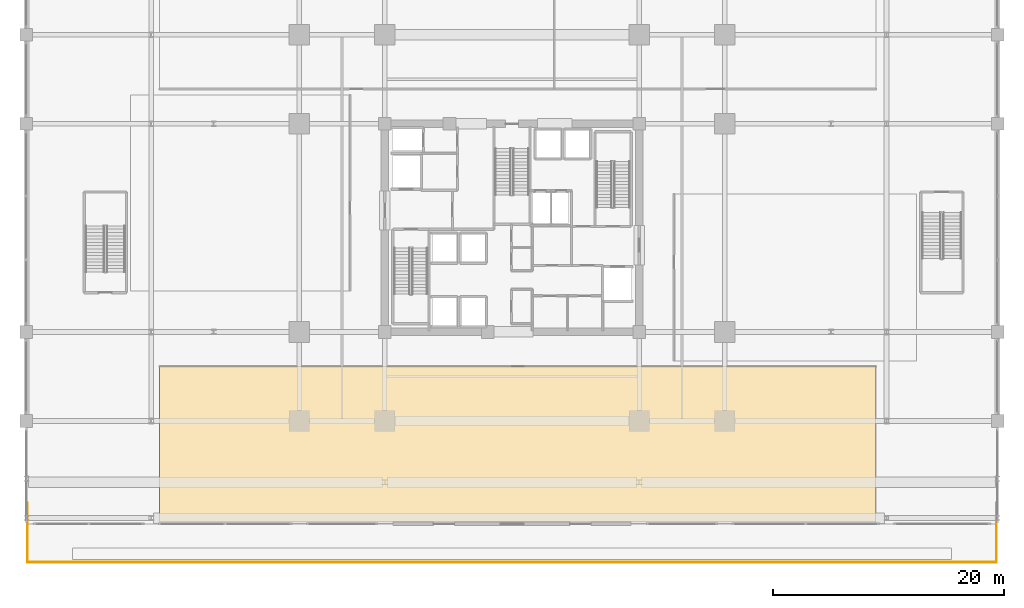
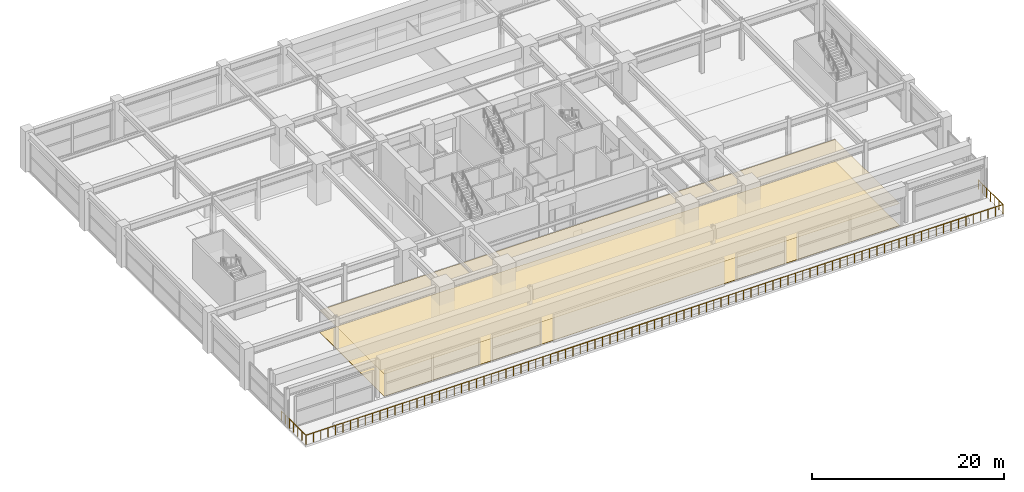
# One storey, part 40 of 45: 2 coverings, 1 railing.
"""IFC4 building model written with IfcOpenShell, lengths in metres."""

from ifc_helpers import new_model, si_unit, direction, frame, origin, origin_2d, place, context, subcontext, project, spatial, polyline, circle, outline, extrude, material, layer, layer_set, type_object, element, save


model = new_model("IFC4")

# Units and contexts
model_context = context("Model", 3, precision=1e-05, world=origin(), true_north=direction((0.0, 1.0)))
body_context = subcontext(model_context, "Body", "Model", "MODEL_VIEW")
ifc_project = project(units=[si_unit("LENGTHUNIT", "METRE"), si_unit("AREAUNIT", "SQUARE_METRE"), si_unit("VOLUMEUNIT", "CUBIC_METRE"), si_unit("PLANEANGLEUNIT", "RADIAN"), si_unit("MASSUNIT", "GRAM", prefix="KILO")], contexts=[model_context])

# Site, building, storey
site_placement = place(None, origin())
site = spatial("IfcSite", under=ifc_project, at=site_placement, CompositionType="ELEMENT")
building_placement = place(site_placement, origin())
building = spatial("IfcBuilding", under=site, at=building_placement, Name="Kovane Verandah Tower", CompositionType="ELEMENT")
storey_placement = place(building_placement, frame((0.0, 0.0, 6.0)))
storey = spatial("IfcBuildingStorey", under=building, at=storey_placement, Name="L01", CompositionType="ELEMENT", Elevation=6.0)

# Coverings
ifc_material_1 = material(Name="Perforated Acoustic Mineral-Fibre Ceiling Tile", Category="gypsum")
ifc_layer_1 = layer(ifc_material_1, 0.02490234375)
ifc_layer_set_1 = layer_set([ifc_layer_1], Name="Perforated Acoustic Mineral-Fibre Ceiling Tile")
covering_type_1 = type_object("IfcCoveringType", Name="CV-CEIL-25", PredefinedType="CEILING", material=ifc_layer_set_1)
covering_1_placement = place(storey_placement, frame((0.0, 0.0, 2.824951171875)))
element("IfcCovering", 1, at=covering_1_placement, inside=storey, type_object=covering_type_1, Name="L01 South Banking Hall Acoustic Ceiling", PredefinedType="CEILING", context=body_context, shape_type="SweptSolid", body=[
    extrude(outline(polyline([(9.5, 2.050048828125), (71.5, 2.050048828125), (71.5, 15.5), (9.5, 15.5), (9.5, 2.050048828125)])), origin(), (0.0, 0.0, 1.0), 0.025146484375),
])
ifc_material_2 = material(Name="Polished Terrazzo and Raised-Access Carpet Tile Finish", Category="concrete")
ifc_layer_2 = layer(ifc_material_2, 0.030029296875)
ifc_layer_set_2 = layer_set([ifc_layer_2], Name="Polished Terrazzo and Raised-Access Carpet Tile Finish")
covering_type_2 = type_object("IfcCoveringType", Name="CV-FLOR-30", PredefinedType="FLOORING", material=ifc_layer_set_2)
covering_2_placement = place(storey_placement, origin())
element("IfcCovering", 2, at=covering_2_placement, inside=storey, type_object=covering_type_2, Name="L01 South Banking Hall Floor Finish", PredefinedType="FLOORING", context=body_context, shape_type="SweptSolid", body=[
    extrude(outline(polyline([(9.5, 2.050048828125), (71.5, 2.050048828125), (71.5, 15.5), (9.5, 15.5), (9.5, 2.050048828125)])), origin(), (0.0, 0.0, 1.0), 0.030029296875),
])

# Railing
ifc_material_3 = material(Name="Pale-Champagne Stainless Steel and Glass Perimeter Guard", Category="steel")
railing_type = type_object("IfcRailingType", Name="RL-GDN-1200", PredefinedType="GUARDRAIL", material=ifc_material_3)
railing_placement = place(storey_placement, frame((-1.919921875, 3.699951171875, 0.0)))
element("IfcRailing", 3, at=railing_placement, inside=storey, type_object=railing_type, Name="L01 Cascading Garden Terrace Balustrade", PredefinedType="GUARDRAIL", context=body_context, shape_type="SweptSolid", body=[
    extrude(circle(Radius=0.02392578125, at=origin_2d()), frame((0.0, 0.0, 1.17578125), z_axis=(0.0, -1.0, 0.0), x_axis=(1.0, 0.0, 0.0)), (0.0, 0.0, 1.0), 5.119873046875),
    extrude(circle(Radius=0.02392578125, at=origin_2d()), frame((0.0, -5.119873046875, 1.17578125), z_axis=(1.0, 0.0, 0.0), x_axis=(0.0, 1.0, 0.0)), (0.0, 0.0, 1.0), 83.83984375),
    extrude(circle(Radius=0.02392578125, at=origin_2d()), frame((83.83984375, -5.119873046875, 1.17578125), z_axis=(0.0, 1.0, 0.0), x_axis=(-1.0, 0.0, 0.0)), (0.0, 0.0, 1.0), 5.119873046875),
    extrude(circle(Radius=0.02099609375, at=origin_2d()), origin(), (0.0, 0.0, 1.0), 1.15185546875),
    extrude(circle(Radius=0.02099609375, at=origin_2d()), frame((0.0, -0.853271484375, 0.0)), (0.0, 0.0, 1.0), 1.15185546875),
    extrude(circle(Radius=0.02099609375, at=origin_2d()), frame((0.0, -1.70654296875, 0.0)), (0.0, 0.0, 1.0), 1.15185546875),
    extrude(circle(Radius=0.02099609375, at=origin_2d()), frame((0.0, -2.56005859375, 0.0)), (0.0, 0.0, 1.0), 1.15185546875),
    extrude(circle(Radius=0.02099609375, at=origin_2d()), frame((0.0, -3.413330078125, 0.0)), (0.0, 0.0, 1.0), 1.15185546875),
    extrude(circle(Radius=0.02099609375, at=origin_2d()), frame((0.0, -4.2666015625, 0.0)), (0.0, 0.0, 1.0), 1.15185546875),
    extrude(circle(Radius=0.02099609375, at=origin_2d()), frame((0.0, -5.119873046875, 0.0)), (0.0, 0.0, 1.0), 1.15185546875),
    extrude(circle(Radius=0.02099609375, at=origin_2d()), frame((0.891845703125, -5.119873046875, 0.0)), (0.0, 0.0, 1.0), 1.15185546875),
    extrude(circle(Radius=0.02099609375, at=origin_2d()), frame((1.783935546875, -5.119873046875, 0.0)), (0.0, 0.0, 1.0), 1.15185546875),
    extrude(circle(Radius=0.02099609375, at=origin_2d()), frame((2.67578125, -5.119873046875, 0.0)), (0.0, 0.0, 1.0), 1.15185546875),
    extrude(circle(Radius=0.02099609375, at=origin_2d()), frame((3.567626953125, -5.119873046875, 0.0)), (0.0, 0.0, 1.0), 1.15185546875),
    extrude(circle(Radius=0.02099609375, at=origin_2d()), frame((4.45947265625, -5.119873046875, 0.0)), (0.0, 0.0, 1.0), 1.15185546875),
    extrude(circle(Radius=0.02099609375, at=origin_2d()), frame((5.3515625, -5.119873046875, 0.0)), (0.0, 0.0, 1.0), 1.15185546875),
    extrude(circle(Radius=0.02099609375, at=origin_2d()), frame((6.243408203125, -5.119873046875, 0.0)), (0.0, 0.0, 1.0), 1.15185546875),
    extrude(circle(Radius=0.02099609375, at=origin_2d()), frame((7.13525390625, -5.119873046875, 0.0)), (0.0, 0.0, 1.0), 1.15185546875),
    extrude(circle(Radius=0.02099609375, at=origin_2d()), frame((8.027099609375, -5.119873046875, 0.0)), (0.0, 0.0, 1.0), 1.15185546875),
    extrude(circle(Radius=0.02099609375, at=origin_2d()), frame((8.919189453125, -5.119873046875, 0.0)), (0.0, 0.0, 1.0), 1.15185546875),
    extrude(circle(Radius=0.02099609375, at=origin_2d()), frame((9.81103515625, -5.119873046875, 0.0)), (0.0, 0.0, 1.0), 1.15185546875),
    extrude(circle(Radius=0.02099609375, at=origin_2d()), frame((10.702880859375, -5.119873046875, 0.0)), (0.0, 0.0, 1.0), 1.15185546875),
    extrude(circle(Radius=0.02099609375, at=origin_2d()), frame((11.594970703125, -5.119873046875, 0.0)), (0.0, 0.0, 1.0), 1.15185546875),
    extrude(circle(Radius=0.02099609375, at=origin_2d()), frame((12.48681640625, -5.119873046875, 0.0)), (0.0, 0.0, 1.0), 1.15185546875),
    extrude(circle(Radius=0.02099609375, at=origin_2d()), frame((13.378662109375, -5.119873046875, 0.0)), (0.0, 0.0, 1.0), 1.15185546875),
    extrude(circle(Radius=0.02099609375, at=origin_2d()), frame((14.2705078125, -5.119873046875, 0.0)), (0.0, 0.0, 1.0), 1.15185546875),
    extrude(circle(Radius=0.02099609375, at=origin_2d()), frame((15.16259765625, -5.119873046875, 0.0)), (0.0, 0.0, 1.0), 1.15185546875),
    extrude(circle(Radius=0.02099609375, at=origin_2d()), frame((16.054443359375, -5.119873046875, 0.0)), (0.0, 0.0, 1.0), 1.15185546875),
    extrude(circle(Radius=0.02099609375, at=origin_2d()), frame((16.9462890625, -5.119873046875, 0.0)), (0.0, 0.0, 1.0), 1.15185546875),
    extrude(circle(Radius=0.02099609375, at=origin_2d()), frame((17.83837890625, -5.119873046875, 0.0)), (0.0, 0.0, 1.0), 1.15185546875),
    extrude(circle(Radius=0.02099609375, at=origin_2d()), frame((18.730224609375, -5.119873046875, 0.0)), (0.0, 0.0, 1.0), 1.15185546875),
    extrude(circle(Radius=0.02099609375, at=origin_2d()), frame((19.6220703125, -5.119873046875, 0.0)), (0.0, 0.0, 1.0), 1.15185546875),
    extrude(circle(Radius=0.02099609375, at=origin_2d()), frame((20.513916015625, -5.119873046875, 0.0)), (0.0, 0.0, 1.0), 1.15185546875),
    extrude(circle(Radius=0.02099609375, at=origin_2d()), frame((21.406005859375, -5.119873046875, 0.0)), (0.0, 0.0, 1.0), 1.15185546875),
    extrude(circle(Radius=0.02099609375, at=origin_2d()), frame((22.2978515625, -5.119873046875, 0.0)), (0.0, 0.0, 1.0), 1.15185546875),
    extrude(circle(Radius=0.02099609375, at=origin_2d()), frame((23.189697265625, -5.119873046875, 0.0)), (0.0, 0.0, 1.0), 1.15185546875),
    extrude(circle(Radius=0.02099609375, at=origin_2d()), frame((24.08154296875, -5.119873046875, 0.0)), (0.0, 0.0, 1.0), 1.15185546875),
    extrude(circle(Radius=0.02099609375, at=origin_2d()), frame((24.9736328125, -5.119873046875, 0.0)), (0.0, 0.0, 1.0), 1.15185546875),
    extrude(circle(Radius=0.02099609375, at=origin_2d()), frame((25.865478515625, -5.119873046875, 0.0)), (0.0, 0.0, 1.0), 1.15185546875),
    extrude(circle(Radius=0.02099609375, at=origin_2d()), frame((26.75732421875, -5.119873046875, 0.0)), (0.0, 0.0, 1.0), 1.15185546875),
    extrude(circle(Radius=0.02099609375, at=origin_2d()), frame((27.6494140625, -5.119873046875, 0.0)), (0.0, 0.0, 1.0), 1.15185546875),
    extrude(circle(Radius=0.02099609375, at=origin_2d()), frame((28.541259765625, -5.119873046875, 0.0)), (0.0, 0.0, 1.0), 1.15185546875),
    extrude(circle(Radius=0.02099609375, at=origin_2d()), frame((29.43310546875, -5.119873046875, 0.0)), (0.0, 0.0, 1.0), 1.15185546875),
    extrude(circle(Radius=0.02099609375, at=origin_2d()), frame((30.324951171875, -5.119873046875, 0.0)), (0.0, 0.0, 1.0), 1.15185546875),
    extrude(circle(Radius=0.02099609375, at=origin_2d()), frame((31.217041015625, -5.119873046875, 0.0)), (0.0, 0.0, 1.0), 1.15185546875),
    extrude(circle(Radius=0.02099609375, at=origin_2d()), frame((32.10888671875, -5.119873046875, 0.0)), (0.0, 0.0, 1.0), 1.15185546875),
    extrude(circle(Radius=0.02099609375, at=origin_2d()), frame((33.000732421875, -5.119873046875, 0.0)), (0.0, 0.0, 1.0), 1.15185546875),
    extrude(circle(Radius=0.02099609375, at=origin_2d()), frame((33.892822265625, -5.119873046875, 0.0)), (0.0, 0.0, 1.0), 1.15185546875),
    extrude(circle(Radius=0.02099609375, at=origin_2d()), frame((34.78466796875, -5.119873046875, 0.0)), (0.0, 0.0, 1.0), 1.15185546875),
    extrude(circle(Radius=0.02099609375, at=origin_2d()), frame((35.676513671875, -5.119873046875, 0.0)), (0.0, 0.0, 1.0), 1.15185546875),
    extrude(circle(Radius=0.02099609375, at=origin_2d()), frame((36.568359375, -5.119873046875, 0.0)), (0.0, 0.0, 1.0), 1.15185546875),
    extrude(circle(Radius=0.02099609375, at=origin_2d()), frame((37.46044921875, -5.119873046875, 0.0)), (0.0, 0.0, 1.0), 1.15185546875),
    extrude(circle(Radius=0.02099609375, at=origin_2d()), frame((38.352294921875, -5.119873046875, 0.0)), (0.0, 0.0, 1.0), 1.15185546875),
    extrude(circle(Radius=0.02099609375, at=origin_2d()), frame((39.244140625, -5.119873046875, 0.0)), (0.0, 0.0, 1.0), 1.15185546875),
    extrude(circle(Radius=0.02099609375, at=origin_2d()), frame((40.135986328125, -5.119873046875, 0.0)), (0.0, 0.0, 1.0), 1.15185546875),
    extrude(circle(Radius=0.02099609375, at=origin_2d()), frame((41.028076171875, -5.119873046875, 0.0)), (0.0, 0.0, 1.0), 1.15185546875),
    extrude(circle(Radius=0.02099609375, at=origin_2d()), frame((41.919921875, -5.119873046875, 0.0)), (0.0, 0.0, 1.0), 1.15185546875),
    extrude(circle(Radius=0.02099609375, at=origin_2d()), frame((42.811767578125, -5.119873046875, 0.0)), (0.0, 0.0, 1.0), 1.15185546875),
    extrude(circle(Radius=0.02099609375, at=origin_2d()), frame((43.703857421875, -5.119873046875, 0.0)), (0.0, 0.0, 1.0), 1.15185546875),
    extrude(circle(Radius=0.02099609375, at=origin_2d()), frame((44.595703125, -5.119873046875, 0.0)), (0.0, 0.0, 1.0), 1.15185546875),
    extrude(circle(Radius=0.02099609375, at=origin_2d()), frame((45.487548828125, -5.119873046875, 0.0)), (0.0, 0.0, 1.0), 1.15185546875),
    extrude(circle(Radius=0.02099609375, at=origin_2d()), frame((46.37939453125, -5.119873046875, 0.0)), (0.0, 0.0, 1.0), 1.15185546875),
    extrude(circle(Radius=0.02099609375, at=origin_2d()), frame((47.271484375, -5.119873046875, 0.0)), (0.0, 0.0, 1.0), 1.15185546875),
    extrude(circle(Radius=0.02099609375, at=origin_2d()), frame((48.163330078125, -5.119873046875, 0.0)), (0.0, 0.0, 1.0), 1.15185546875),
    extrude(circle(Radius=0.02099609375, at=origin_2d()), frame((49.05517578125, -5.119873046875, 0.0)), (0.0, 0.0, 1.0), 1.15185546875),
    extrude(circle(Radius=0.02099609375, at=origin_2d()), frame((49.947021484375, -5.119873046875, 0.0)), (0.0, 0.0, 1.0), 1.15185546875),
    extrude(circle(Radius=0.02099609375, at=origin_2d()), frame((50.839111328125, -5.119873046875, 0.0)), (0.0, 0.0, 1.0), 1.15185546875),
    extrude(circle(Radius=0.02099609375, at=origin_2d()), frame((51.73095703125, -5.119873046875, 0.0)), (0.0, 0.0, 1.0), 1.15185546875),
    extrude(circle(Radius=0.02099609375, at=origin_2d()), frame((52.622802734375, -5.119873046875, 0.0)), (0.0, 0.0, 1.0), 1.15185546875),
    extrude(circle(Radius=0.02099609375, at=origin_2d()), frame((53.514892578125, -5.119873046875, 0.0)), (0.0, 0.0, 1.0), 1.15185546875),
    extrude(circle(Radius=0.02099609375, at=origin_2d()), frame((54.40673828125, -5.119873046875, 0.0)), (0.0, 0.0, 1.0), 1.15185546875),
    extrude(circle(Radius=0.02099609375, at=origin_2d()), frame((55.298583984375, -5.119873046875, 0.0)), (0.0, 0.0, 1.0), 1.15185546875),
    extrude(circle(Radius=0.02099609375, at=origin_2d()), frame((56.1904296875, -5.119873046875, 0.0)), (0.0, 0.0, 1.0), 1.15185546875),
    extrude(circle(Radius=0.02099609375, at=origin_2d()), frame((57.08251953125, -5.119873046875, 0.0)), (0.0, 0.0, 1.0), 1.15185546875),
    extrude(circle(Radius=0.02099609375, at=origin_2d()), frame((57.974365234375, -5.119873046875, 0.0)), (0.0, 0.0, 1.0), 1.15185546875),
    extrude(circle(Radius=0.02099609375, at=origin_2d()), frame((58.8662109375, -5.119873046875, 0.0)), (0.0, 0.0, 1.0), 1.15185546875),
    extrude(circle(Radius=0.02099609375, at=origin_2d()), frame((59.75830078125, -5.119873046875, 0.0)), (0.0, 0.0, 1.0), 1.15185546875),
    extrude(circle(Radius=0.02099609375, at=origin_2d()), frame((60.650146484375, -5.119873046875, 0.0)), (0.0, 0.0, 1.0), 1.15185546875),
    extrude(circle(Radius=0.02099609375, at=origin_2d()), frame((61.5419921875, -5.119873046875, 0.0)), (0.0, 0.0, 1.0), 1.15185546875),
    extrude(circle(Radius=0.02099609375, at=origin_2d()), frame((62.433837890625, -5.119873046875, 0.0)), (0.0, 0.0, 1.0), 1.15185546875),
    extrude(circle(Radius=0.02099609375, at=origin_2d()), frame((63.325927734375, -5.119873046875, 0.0)), (0.0, 0.0, 1.0), 1.15185546875),
    extrude(circle(Radius=0.02099609375, at=origin_2d()), frame((64.2177734375, -5.119873046875, 0.0)), (0.0, 0.0, 1.0), 1.15185546875),
    extrude(circle(Radius=0.02099609375, at=origin_2d()), frame((65.109619140625, -5.119873046875, 0.0)), (0.0, 0.0, 1.0), 1.15185546875),
    extrude(circle(Radius=0.02099609375, at=origin_2d()), frame((66.00146484375, -5.119873046875, 0.0)), (0.0, 0.0, 1.0), 1.15185546875),
    extrude(circle(Radius=0.02099609375, at=origin_2d()), frame((66.8935546875, -5.119873046875, 0.0)), (0.0, 0.0, 1.0), 1.15185546875),
    extrude(circle(Radius=0.02099609375, at=origin_2d()), frame((67.785400390625, -5.119873046875, 0.0)), (0.0, 0.0, 1.0), 1.15185546875),
    extrude(circle(Radius=0.02099609375, at=origin_2d()), frame((68.67724609375, -5.119873046875, 0.0)), (0.0, 0.0, 1.0), 1.15185546875),
    extrude(circle(Radius=0.02099609375, at=origin_2d()), frame((69.5693359375, -5.119873046875, 0.0)), (0.0, 0.0, 1.0), 1.15185546875),
    extrude(circle(Radius=0.02099609375, at=origin_2d()), frame((70.461181640625, -5.119873046875, 0.0)), (0.0, 0.0, 1.0), 1.15185546875),
    extrude(circle(Radius=0.02099609375, at=origin_2d()), frame((71.35302734375, -5.119873046875, 0.0)), (0.0, 0.0, 1.0), 1.15185546875),
    extrude(circle(Radius=0.02099609375, at=origin_2d()), frame((72.244873046875, -5.119873046875, 0.0)), (0.0, 0.0, 1.0), 1.15185546875),
    extrude(circle(Radius=0.02099609375, at=origin_2d()), frame((73.136962890625, -5.119873046875, 0.0)), (0.0, 0.0, 1.0), 1.15185546875),
    extrude(circle(Radius=0.02099609375, at=origin_2d()), frame((74.02880859375, -5.119873046875, 0.0)), (0.0, 0.0, 1.0), 1.15185546875),
    extrude(circle(Radius=0.02099609375, at=origin_2d()), frame((74.920654296875, -5.119873046875, 0.0)), (0.0, 0.0, 1.0), 1.15185546875),
    extrude(circle(Radius=0.02099609375, at=origin_2d()), frame((75.812744140625, -5.119873046875, 0.0)), (0.0, 0.0, 1.0), 1.15185546875),
    extrude(circle(Radius=0.02099609375, at=origin_2d()), frame((76.70458984375, -5.119873046875, 0.0)), (0.0, 0.0, 1.0), 1.15185546875),
    extrude(circle(Radius=0.02099609375, at=origin_2d()), frame((77.596435546875, -5.119873046875, 0.0)), (0.0, 0.0, 1.0), 1.15185546875),
    extrude(circle(Radius=0.02099609375, at=origin_2d()), frame((78.48828125, -5.119873046875, 0.0)), (0.0, 0.0, 1.0), 1.15185546875),
    extrude(circle(Radius=0.02099609375, at=origin_2d()), frame((79.38037109375, -5.119873046875, 0.0)), (0.0, 0.0, 1.0), 1.15185546875),
    extrude(circle(Radius=0.02099609375, at=origin_2d()), frame((80.272216796875, -5.119873046875, 0.0)), (0.0, 0.0, 1.0), 1.15185546875),
    extrude(circle(Radius=0.02099609375, at=origin_2d()), frame((81.1640625, -5.119873046875, 0.0)), (0.0, 0.0, 1.0), 1.15185546875),
    extrude(circle(Radius=0.02099609375, at=origin_2d()), frame((82.055908203125, -5.119873046875, 0.0)), (0.0, 0.0, 1.0), 1.15185546875),
    extrude(circle(Radius=0.02099609375, at=origin_2d()), frame((82.947998046875, -5.119873046875, 0.0)), (0.0, 0.0, 1.0), 1.15185546875),
    extrude(circle(Radius=0.02099609375, at=origin_2d()), frame((83.83984375, -5.119873046875, 0.0)), (0.0, 0.0, 1.0), 1.15185546875),
    extrude(circle(Radius=0.02099609375, at=origin_2d()), frame((83.83984375, -4.2666015625, 0.0)), (0.0, 0.0, 1.0), 1.15185546875),
    extrude(circle(Radius=0.02099609375, at=origin_2d()), frame((83.83984375, -3.413330078125, 0.0)), (0.0, 0.0, 1.0), 1.15185546875),
    extrude(circle(Radius=0.02099609375, at=origin_2d()), frame((83.83984375, -2.56005859375, 0.0)), (0.0, 0.0, 1.0), 1.15185546875),
    extrude(circle(Radius=0.02099609375, at=origin_2d()), frame((83.83984375, -1.70654296875, 0.0)), (0.0, 0.0, 1.0), 1.15185546875),
    extrude(circle(Radius=0.02099609375, at=origin_2d()), frame((83.83984375, -0.853271484375, 0.0)), (0.0, 0.0, 1.0), 1.15185546875),
    extrude(circle(Radius=0.02099609375, at=origin_2d()), frame((83.83984375, 0.0, 0.0)), (0.0, 0.0, 1.0), 1.15185546875),
])

save(model, "model.ifc")
